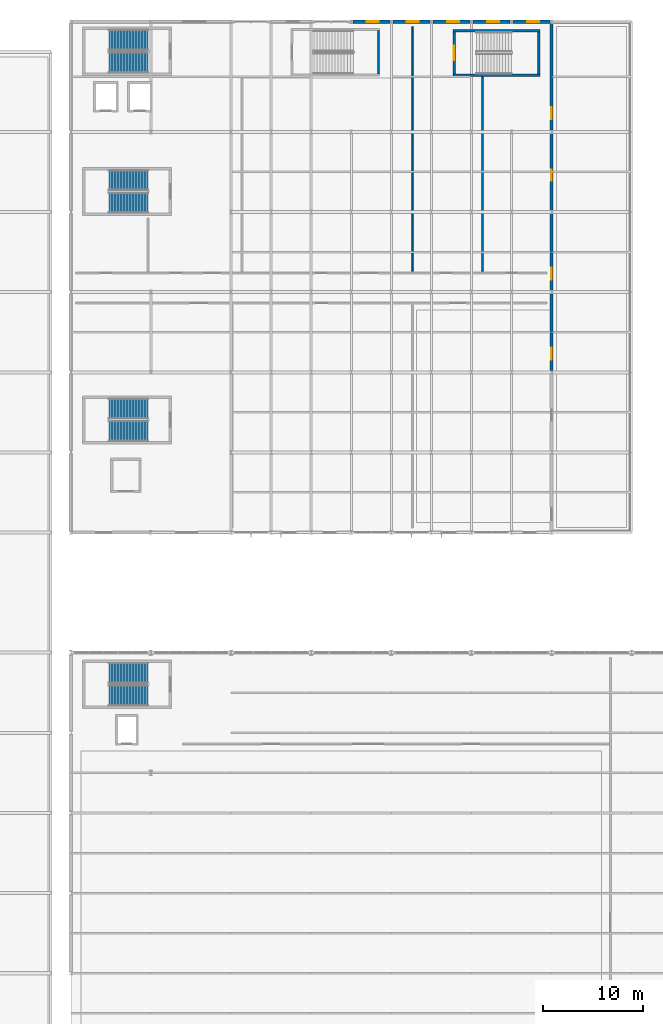
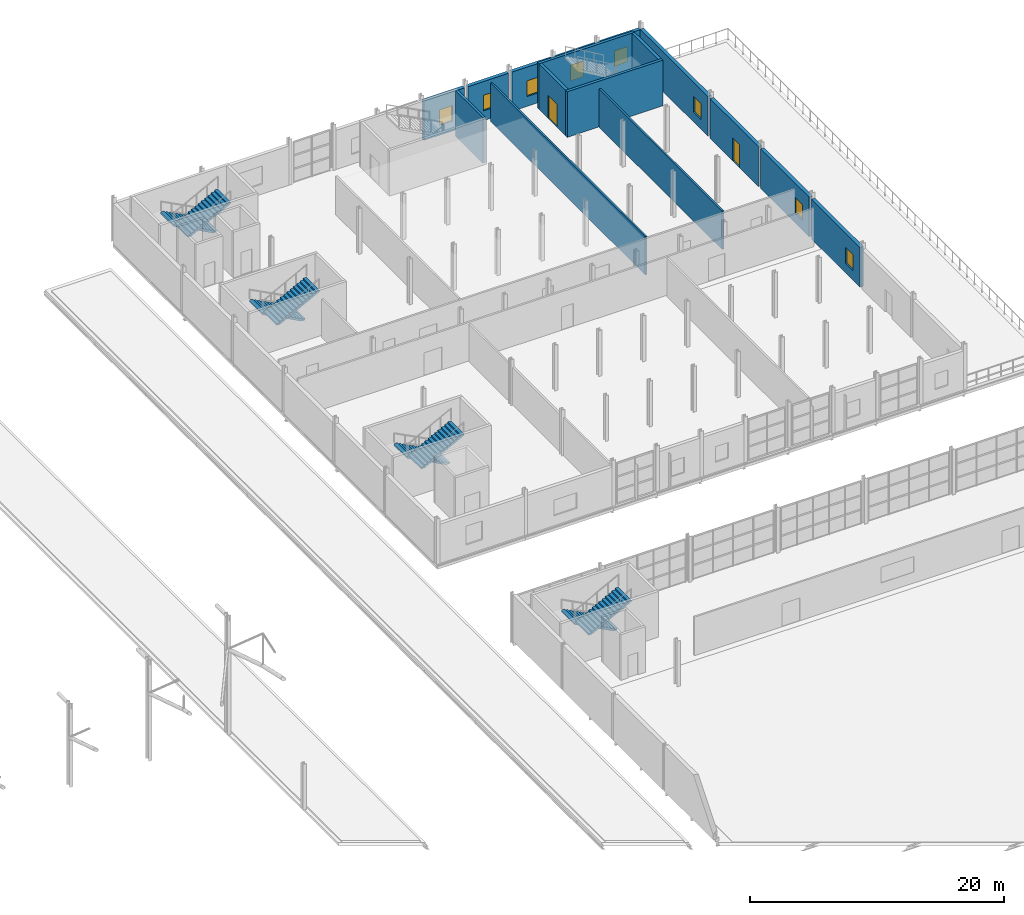
# One storey, part 142 of 153: 16 walls, 8 stair flights, 8 windows, 2 doors, 10 openings, 4 elements without a shape of their own.
"""IFC4 building model written with IfcOpenShell, lengths in metres."""

from ifc_helpers import new_model, si_unit, derived_unit, direction, frame, frame_2d, origin, place, context, subcontext, project, spatial, polyline, rectangle, outline, extrude, material, layer, layer_set, type_object, element, fill, aggregate, save


model = new_model("IFC4")

# Units and contexts
model_context = context("Model", 3, precision=1e-05, world=origin(), true_north=direction((0.0, 1.0)))
body_context = subcontext(model_context, "Body", "Model", "MODEL_VIEW")
ifc_project = project(units=[si_unit("LENGTHUNIT", "METRE"), si_unit("AREAUNIT", "SQUARE_METRE"), si_unit("VOLUMEUNIT", "CUBIC_METRE"), si_unit("PLANEANGLEUNIT", "RADIAN"), si_unit("MASSUNIT", "GRAM", prefix="KILO"), derived_unit("THERMALTRANSMITTANCEUNIT", [(si_unit("POWERUNIT", "WATT"), 1), (si_unit("LENGTHUNIT", "METRE"), -2), (si_unit("THERMODYNAMICTEMPERATUREUNIT", "KELVIN"), -1)])], contexts=[model_context])

# Site, building, storey
site_placement = place(None, origin())
site = spatial("IfcSite", under=ifc_project, at=site_placement, CompositionType="ELEMENT")
building_placement = place(site_placement, origin())
building = spatial("IfcBuilding", under=site, at=building_placement, Name="Keldorne Ridge Multi-Sports Centre", CompositionType="ELEMENT")
storey_placement = place(building_placement, frame((0.0, 0.0, 9.60009765625)))
storey = spatial("IfcBuildingStorey", under=building, at=storey_placement, Name="L02", CompositionType="ELEMENT", Elevation=9.60009765625)

# Wall, opening, window
ifc_material_1 = material(Name="Precast concrete C40/50", Category="concrete")
ifc_layer_1 = layer(ifc_material_1, 0.320068359375)
ifc_layer_set_1 = layer_set([ifc_layer_1], Name="Precast concrete C40/50")
wall_type_1 = type_object("IfcWallType", Name="WAL-PR-W1", PredefinedType="STANDARD", material=ifc_layer_set_1)
wall_1_placement = place(storey_placement, frame((135.847900390625, 117.0, 0.0), z_axis=(0.0, 0.0, 1.0), x_axis=(-1.0, 0.0, 0.0)))
wall_1 = element("IfcWall", 1, at=wall_1_placement, inside=storey, type_object=wall_type_1, Name="East Wing L02 north facade 6", PredefinedType="STANDARD", context=body_context, shape_type="SweptSolid", body=[
    extrude(rectangle(XDim=3.69580078125, YDim=0.320068359375, at=frame_2d((1.847900390625, 0.0))), origin(), (0.0, 0.0, 1.0), 3.77490234375),
])
opening_1_placement = place(wall_1_placement, frame((1.087890625, 0.0, 0.949951171875)))
opening_1 = element("IfcOpeningElement", 2, at=opening_1_placement, cuts=wall_1, Name="Opening W-03", PredefinedType="OPENING", context=body_context, shape_type="SweptSolid", body=[
    extrude(rectangle(XDim=1.199951171875, YDim=1.5, at=frame_2d((0.60009765625, 0.75))), frame((0.0, 0.169921875, 0.0), z_axis=(0.0, -1.0, 0.0), x_axis=(1.0, 0.0, 0.0)), (0.0, 0.0, 1.0), 0.340087890625),
])
ifc_material_2 = material(Name="Anodized aluminium", Category="aluminium")
window_type = type_object("IfcWindowType", Name="WIN-W-03", PartitioningType="SINGLE_PANEL", PredefinedType="WINDOW", material=ifc_material_2)
window_1_placement = place(opening_1_placement, origin())
window_1 = element("IfcWindow", 3, at=window_1_placement, inside=storey, type_object=window_type, Name="East Wing L02 north window W-081", OverallHeight=1.5, OverallWidth=1.199951171875, PartitioningType="SINGLE_PANEL", PredefinedType="WINDOW", context=body_context, shape_type="SweptSolid", body=[
    extrude(rectangle(XDim=1.199951171875, YDim=1.5, at=frame_2d((0.60009765625, 0.75))), frame((0.0, 0.030029296875, 0.0), z_axis=(0.0, -1.0, 0.0), x_axis=(1.0, 0.0, 0.0)), (0.0, 0.0, 1.0), 0.06005859375),
])
fill(opening_1, window_1)

wall_2_placement = place(storey_placement, frame((139.847900390625, 117.0, 0.0), z_axis=(0.0, 0.0, 1.0), x_axis=(-1.0, 0.0, 0.0)))
wall_2 = element("IfcWall", 4, at=wall_2_placement, inside=storey, type_object=wall_type_1, Name="East Wing L02 north facade 7", PredefinedType="STANDARD", context=body_context, shape_type="SweptSolid", body=[
    extrude(rectangle(XDim=3.69580078125, YDim=0.320068359375, at=frame_2d((1.847900390625, 0.0))), origin(), (0.0, 0.0, 1.0), 3.77490234375),
])
opening_2_placement = place(wall_2_placement, frame((1.087890625, 0.0, 0.949951171875)))
opening_2 = element("IfcOpeningElement", 5, at=opening_2_placement, cuts=wall_2, Name="Opening W-03", PredefinedType="OPENING", context=body_context, shape_type="SweptSolid", body=[
    extrude(rectangle(XDim=1.199951171875, YDim=1.5, at=frame_2d((0.60009765625, 0.75))), frame((0.0, 0.169921875, 0.0), z_axis=(0.0, -1.0, 0.0), x_axis=(1.0, 0.0, 0.0)), (0.0, 0.0, 1.0), 0.340087890625),
])
window_2_placement = place(opening_2_placement, origin())
window_2 = element("IfcWindow", 6, at=window_2_placement, inside=storey, type_object=window_type, Name="East Wing L02 north window W-082", OverallHeight=1.5, OverallWidth=1.199951171875, PartitioningType="SINGLE_PANEL", PredefinedType="WINDOW", context=body_context, shape_type="SweptSolid", body=[
    extrude(rectangle(XDim=1.199951171875, YDim=1.5, at=frame_2d((0.60009765625, 0.75))), frame((0.0, 0.030029296875, 0.0), z_axis=(0.0, -1.0, 0.0), x_axis=(1.0, 0.0, 0.0)), (0.0, 0.0, 1.0), 0.06005859375),
])
fill(opening_2, window_2)

wall_3_placement = place(storey_placement, frame((143.847900390625, 117.0, 0.0), z_axis=(0.0, 0.0, 1.0), x_axis=(-1.0, 0.0, 0.0)))
wall_3 = element("IfcWall", 7, at=wall_3_placement, inside=storey, type_object=wall_type_1, Name="East Wing L02 north facade 8", PredefinedType="STANDARD", context=body_context, shape_type="SweptSolid", body=[
    extrude(rectangle(XDim=3.69580078125, YDim=0.320068359375, at=frame_2d((1.847900390625, 0.0))), origin(), (0.0, 0.0, 1.0), 3.77490234375),
])
opening_3_placement = place(wall_3_placement, frame((1.087890625, 0.0, 0.949951171875)))
opening_3 = element("IfcOpeningElement", 8, at=opening_3_placement, cuts=wall_3, Name="Opening W-03", PredefinedType="OPENING", context=body_context, shape_type="SweptSolid", body=[
    extrude(rectangle(XDim=1.199951171875, YDim=1.5, at=frame_2d((0.60009765625, 0.75))), frame((0.0, 0.169921875, 0.0), z_axis=(0.0, -1.0, 0.0), x_axis=(1.0, 0.0, 0.0)), (0.0, 0.0, 1.0), 0.340087890625),
])
window_3_placement = place(opening_3_placement, origin())
window_3 = element("IfcWindow", 9, at=window_3_placement, inside=storey, type_object=window_type, Name="East Wing L02 north window W-083", OverallHeight=1.5, OverallWidth=1.199951171875, PartitioningType="SINGLE_PANEL", PredefinedType="WINDOW", context=body_context, shape_type="SweptSolid", body=[
    extrude(rectangle(XDim=1.199951171875, YDim=1.5, at=frame_2d((0.60009765625, 0.75))), frame((0.0, 0.030029296875, 0.0), z_axis=(0.0, -1.0, 0.0), x_axis=(1.0, 0.0, 0.0)), (0.0, 0.0, 1.0), 0.06005859375),
])
fill(opening_3, window_3)

wall_4_placement = place(storey_placement, frame((147.847900390625, 117.0, 0.0), z_axis=(0.0, 0.0, 1.0), x_axis=(-1.0, 0.0, 0.0)))
wall_4 = element("IfcWall", 10, at=wall_4_placement, inside=storey, type_object=wall_type_1, Name="East Wing L02 north facade 9", PredefinedType="STANDARD", context=body_context, shape_type="SweptSolid", body=[
    extrude(rectangle(XDim=3.69580078125, YDim=0.320068359375, at=frame_2d((1.847900390625, 0.0))), origin(), (0.0, 0.0, 1.0), 3.77490234375),
])
opening_4_placement = place(wall_4_placement, frame((1.087890625, 0.0, 0.949951171875)))
opening_4 = element("IfcOpeningElement", 11, at=opening_4_placement, cuts=wall_4, Name="Opening W-03", PredefinedType="OPENING", context=body_context, shape_type="SweptSolid", body=[
    extrude(rectangle(XDim=1.199951171875, YDim=1.5, at=frame_2d((0.60009765625, 0.75))), frame((0.0, 0.169921875, 0.0), z_axis=(0.0, -1.0, 0.0), x_axis=(1.0, 0.0, 0.0)), (0.0, 0.0, 1.0), 0.340087890625),
])
window_4_placement = place(opening_4_placement, origin())
window_4 = element("IfcWindow", 12, at=window_4_placement, inside=storey, type_object=window_type, Name="East Wing L02 north window W-084", OverallHeight=1.5, OverallWidth=1.199951171875, PartitioningType="SINGLE_PANEL", PredefinedType="WINDOW", context=body_context, shape_type="SweptSolid", body=[
    extrude(rectangle(XDim=1.199951171875, YDim=1.5, at=frame_2d((0.60009765625, 0.75))), frame((0.0, 0.030029296875, 0.0), z_axis=(0.0, -1.0, 0.0), x_axis=(1.0, 0.0, 0.0)), (0.0, 0.0, 1.0), 0.06005859375),
])
fill(opening_4, window_4)

wall_5_placement = place(storey_placement, frame((151.847900390625, 117.0, 0.0), z_axis=(0.0, 0.0, 1.0), x_axis=(-1.0, 0.0, 0.0)))
wall_5 = element("IfcWall", 13, at=wall_5_placement, inside=storey, type_object=wall_type_1, Name="East Wing L02 north facade 10", PredefinedType="STANDARD", context=body_context, shape_type="SweptSolid", body=[
    extrude(rectangle(XDim=3.69580078125, YDim=0.320068359375, at=frame_2d((1.847900390625, 0.0))), origin(), (0.0, 0.0, 1.0), 3.77490234375),
])
opening_5_placement = place(wall_5_placement, frame((1.087890625, 0.0, 0.949951171875)))
opening_5 = element("IfcOpeningElement", 14, at=opening_5_placement, cuts=wall_5, Name="Opening W-03", PredefinedType="OPENING", context=body_context, shape_type="SweptSolid", body=[
    extrude(rectangle(XDim=1.199951171875, YDim=1.5, at=frame_2d((0.60009765625, 0.75))), frame((0.0, 0.169921875, 0.0), z_axis=(0.0, -1.0, 0.0), x_axis=(1.0, 0.0, 0.0)), (0.0, 0.0, 1.0), 0.340087890625),
])
window_5_placement = place(opening_5_placement, origin())
window_5 = element("IfcWindow", 15, at=window_5_placement, inside=storey, type_object=window_type, Name="East Wing L02 north window W-085", OverallHeight=1.5, OverallWidth=1.199951171875, PartitioningType="SINGLE_PANEL", PredefinedType="WINDOW", context=body_context, shape_type="SweptSolid", body=[
    extrude(rectangle(XDim=1.199951171875, YDim=1.5, at=frame_2d((0.60009765625, 0.75))), frame((0.0, 0.030029296875, 0.0), z_axis=(0.0, -1.0, 0.0), x_axis=(1.0, 0.0, 0.0)), (0.0, 0.0, 1.0), 0.06005859375),
])
fill(opening_5, window_5)

wall_6_placement = place(storey_placement, frame((152.0, 82.172119140625, 0.0), z_axis=(0.0, 0.0, 1.0), x_axis=(0.0, 1.0, 0.0)))
wall_6 = element("IfcWall", 16, at=wall_6_placement, inside=storey, type_object=wall_type_1, Name="East Wing L02 east facade 3", PredefinedType="STANDARD", context=body_context, shape_type="SweptSolid", body=[
    extrude(rectangle(XDim=7.65576171875, YDim=0.320068359375, at=frame_2d((3.827880859375, 0.0))), origin(), (0.0, 0.0, 1.0), 3.824951171875),
])
opening_6_placement = place(wall_6_placement, frame((1.068115234375, 0.0, 0.949951171875)))
opening_6 = element("IfcOpeningElement", 17, at=opening_6_placement, cuts=wall_6, Name="Opening W-03", PredefinedType="OPENING", context=body_context, shape_type="SweptSolid", body=[
    extrude(rectangle(XDim=1.199951171875, YDim=1.5, at=frame_2d((0.60009765625, 0.75))), frame((0.0, 0.169921875, 0.0), z_axis=(0.0, -1.0, 0.0), x_axis=(1.0, 0.0, 0.0)), (0.0, 0.0, 1.0), 0.340087890625),
])
window_6_placement = place(opening_6_placement, origin())
window_6 = element("IfcWindow", 18, at=window_6_placement, inside=storey, type_object=window_type, Name="East Wing L02 east window W-087", OverallHeight=1.5, OverallWidth=1.199951171875, PartitioningType="SINGLE_PANEL", PredefinedType="WINDOW", context=body_context, shape_type="SweptSolid", body=[
    extrude(rectangle(XDim=1.199951171875, YDim=1.5, at=frame_2d((0.60009765625, 0.75))), frame((0.0, 0.030029296875, 0.0), z_axis=(0.0, -1.0, 0.0), x_axis=(1.0, 0.0, 0.0)), (0.0, 0.0, 1.0), 0.06005859375),
])
fill(opening_6, window_6)

wall_7_placement = place(storey_placement, frame((152.0, 90.172119140625, 0.0), z_axis=(0.0, 0.0, 1.0), x_axis=(0.0, 1.0, 0.0)))
wall_7 = element("IfcWall", 19, at=wall_7_placement, inside=storey, type_object=wall_type_1, Name="East Wing L02 east facade 4", PredefinedType="STANDARD", context=body_context, shape_type="SweptSolid", body=[
    extrude(rectangle(XDim=7.65576171875, YDim=0.320068359375, at=frame_2d((3.827880859375, 0.0))), origin(), (0.0, 0.0, 1.0), 3.824951171875),
])
opening_7_placement = place(wall_7_placement, frame((1.068115234375, 0.0, 0.949951171875)))
opening_7 = element("IfcOpeningElement", 20, at=opening_7_placement, cuts=wall_7, Name="Opening W-03", PredefinedType="OPENING", context=body_context, shape_type="SweptSolid", body=[
    extrude(rectangle(XDim=1.199951171875, YDim=1.5, at=frame_2d((0.60009765625, 0.75))), frame((0.0, 0.169921875, 0.0), z_axis=(0.0, -1.0, 0.0), x_axis=(1.0, 0.0, 0.0)), (0.0, 0.0, 1.0), 0.340087890625),
])
window_7_placement = place(opening_7_placement, origin())
window_7 = element("IfcWindow", 21, at=window_7_placement, inside=storey, type_object=window_type, Name="East Wing L02 east window W-088", OverallHeight=1.5, OverallWidth=1.199951171875, PartitioningType="SINGLE_PANEL", PredefinedType="WINDOW", context=body_context, shape_type="SweptSolid", body=[
    extrude(rectangle(XDim=1.199951171875, YDim=1.5, at=frame_2d((0.60009765625, 0.75))), frame((0.0, 0.030029296875, 0.0), z_axis=(0.0, -1.0, 0.0), x_axis=(1.0, 0.0, 0.0)), (0.0, 0.0, 1.0), 0.06005859375),
])
fill(opening_7, window_7)

# Wall, opening, door
wall_8_placement = place(storey_placement, frame((152.0, 98.172119140625, 0.0), z_axis=(0.0, 0.0, 1.0), x_axis=(0.0, 1.0, 0.0)))
wall_8 = element("IfcWall", 22, at=wall_8_placement, inside=storey, type_object=wall_type_1, Name="East Wing L02 east facade 5", PredefinedType="STANDARD", context=body_context, shape_type="SweptSolid", body=[
    extrude(rectangle(XDim=7.65576171875, YDim=0.320068359375, at=frame_2d((3.827880859375, 0.0))), origin(), (0.0, 0.0, 1.0), 3.824951171875),
])
opening_8_placement = place(wall_8_placement, frame((2.968017578125, 0.0, 0.0)))
opening_8 = element("IfcOpeningElement", 23, at=opening_8_placement, cuts=wall_8, Name="Opening ED-04", PredefinedType="OPENING", context=body_context, shape_type="SweptSolid", body=[
    extrude(rectangle(XDim=1.10009765625, YDim=2.199951171875, at=frame_2d((0.550048828125, 1.10009765625))), frame((0.0, 0.169921875, 0.0), z_axis=(0.0, -1.0, 0.0), x_axis=(1.0, 0.0, 0.0)), (0.0, 0.0, 1.0), 0.340087890625),
])
ifc_material_3 = material(Name="Galvanized steel", Category="steel")
door_type_1 = type_object("IfcDoorType", Name="DR-ED-04", OperationType="NOTDEFINED", PredefinedType="DOOR", material=ifc_material_3)
door_1_placement = place(opening_8_placement, origin())
door_1 = element("IfcDoor", 24, at=door_1_placement, inside=storey, type_object=door_type_1, Name="L02 East Stepped Roof Garden door 4", OperationType="SINGLE_SWING_RIGHT", OverallHeight=2.199951171875, OverallWidth=1.10009765625, PredefinedType="DOOR", context=body_context, shape_type="SweptSolid", body=[
    extrude(rectangle(XDim=1.10009765625, YDim=2.199951171875, at=frame_2d((0.550048828125, 1.10009765625))), frame((0.0, 0.02490234375, 0.0), z_axis=(0.0, -1.0, 0.0), x_axis=(1.0, 0.0, 0.0)), (0.0, 0.0, 1.0), 0.050048828125),
])
fill(opening_8, door_1)

# Wall, opening, window
wall_9_placement = place(storey_placement, frame((152.0, 106.172119140625, 0.0), z_axis=(0.0, 0.0, 1.0), x_axis=(0.0, 1.0, 0.0)))
wall_9 = element("IfcWall", 25, at=wall_9_placement, inside=storey, type_object=wall_type_1, Name="East Wing L02 east facade 6", PredefinedType="STANDARD", context=body_context, shape_type="SweptSolid", body=[
    extrude(rectangle(XDim=10.65576171875, YDim=0.320068359375, at=frame_2d((5.327880859375, 0.0))), origin(), (0.0, 0.0, 1.0), 3.824951171875),
])
opening_9_placement = place(wall_9_placement, frame((1.068115234375, 0.0, 0.949951171875)))
opening_9 = element("IfcOpeningElement", 26, at=opening_9_placement, cuts=wall_9, Name="Opening W-03", PredefinedType="OPENING", context=body_context, shape_type="SweptSolid", body=[
    extrude(rectangle(XDim=1.199951171875, YDim=1.5, at=frame_2d((0.60009765625, 0.75))), frame((0.0, 0.169921875, 0.0), z_axis=(0.0, -1.0, 0.0), x_axis=(1.0, 0.0, 0.0)), (0.0, 0.0, 1.0), 0.340087890625),
])
window_8_placement = place(opening_9_placement, origin())
window_8 = element("IfcWindow", 27, at=window_8_placement, inside=storey, type_object=window_type, Name="East Wing L02 east window W-089", OverallHeight=1.5, OverallWidth=1.199951171875, PartitioningType="SINGLE_PANEL", PredefinedType="WINDOW", context=body_context, shape_type="SweptSolid", body=[
    extrude(rectangle(XDim=1.199951171875, YDim=1.5, at=frame_2d((0.60009765625, 0.75))), frame((0.0, 0.030029296875, 0.0), z_axis=(0.0, -1.0, 0.0), x_axis=(1.0, 0.0, 0.0)), (0.0, 0.0, 1.0), 0.06005859375),
])
fill(opening_9, window_8)

# Walls
ifc_material_4 = material(Name="Acoustic double stud plasterboard")
ifc_layer_2 = layer(ifc_material_4, 0.159912109375)
ifc_layer_set_2 = layer_set([ifc_layer_2])
wall_type_2 = type_object("IfcWallType", Name="WAL-PT-04", PredefinedType="PARTITIONING", material=ifc_layer_set_2)
wall_10_placement = place(storey_placement, frame((138.10009765625, 92.10009765625, 0.0), z_axis=(0.0, 0.0, 1.0), x_axis=(0.0, 1.0, 0.0)))
element("IfcWall", 28, at=wall_10_placement, inside=storey, type_object=wall_type_2, Name="Clinical suite divider IW-L02-061", PredefinedType="PARTITIONING", context=body_context, shape_type="SweptSolid", body=[
    extrude(rectangle(XDim=24.39990234375, YDim=0.159912109375, at=frame_2d((12.199951171875, 0.0))), origin(), (0.0, 0.0, 1.0), 3.699951171875),
])
wall_11_placement = place(storey_placement, frame((145.10009765625, 92.10009765625, 0.0), z_axis=(0.0, 0.0, 1.0), x_axis=(0.0, 1.0, 0.0)))
element("IfcWall", 29, at=wall_11_placement, inside=storey, type_object=wall_type_2, Name="Clinical suite divider IW-L02-062", PredefinedType="PARTITIONING", context=body_context, shape_type="SweptSolid", body=[
    extrude(rectangle(XDim=19.39990234375, YDim=0.159912109375, at=frame_2d((9.699951171875, 0.0))), origin(), (0.0, 0.0, 1.0), 3.699951171875),
])

# Wall, opening, door
ifc_material_5 = material(Name="Concrete C40/50", Category="concrete")
ifc_layer_3 = layer(ifc_material_5, 0.25)
ifc_layer_set_3 = layer_set([ifc_layer_3], Name="Concrete C40/50")
wall_type_3 = type_object("IfcWallType", Name="WAL-SW01", PredefinedType="SHEAR", material=ifc_layer_set_3)
wall_12_placement = place(storey_placement, frame((142.27490234375, 111.800048828125, 0.0), z_axis=(0.0, 0.0, 1.0), x_axis=(0.0, 1.0, 0.0)))
wall_12 = element("IfcWall", 30, at=wall_12_placement, inside=storey, type_object=wall_type_3, Name="Stair ST-03 shaft wall L02 NEAR", PredefinedType="SHEAR", context=body_context, shape_type="SweptSolid", body=[
    extrude(rectangle(XDim=4.179931640625, YDim=0.25, at=frame_2d((2.08984375, 0.0))), origin(), (0.0, 0.0, 1.0), 4.39990234375),
])
opening_10_placement = place(wall_12_placement, frame((1.364990234375, 0.0, 0.0)))
opening_10 = element("IfcOpeningElement", 31, at=opening_10_placement, cuts=wall_12, Name="Opening D-05", PredefinedType="OPENING", context=body_context, shape_type="SweptSolid", body=[
    extrude(rectangle(XDim=1.449951171875, YDim=2.199951171875, at=frame_2d((0.72509765625, 1.10009765625))), frame((0.0, 0.135009765625, 0.0), z_axis=(0.0, -1.0, 0.0), x_axis=(1.0, 0.0, 0.0)), (0.0, 0.0, 1.0), 0.27001953125),
])
ifc_material_6 = material(Name="Steel fire-resisting pair", Category="steel")
door_type_2 = type_object("IfcDoorType", Name="DR-D-05", OperationType="NOTDEFINED", PredefinedType="DOOR", material=ifc_material_6)
door_2_placement = place(opening_10_placement, origin())
door_2 = element("IfcDoor", 32, at=door_2_placement, inside=storey, type_object=door_type_2, Name="Stair ST-03 L02 fire door D-017", OperationType="DOUBLE_DOOR_SINGLE_SWING", OverallHeight=2.199951171875, OverallWidth=1.449951171875, PredefinedType="DOOR", context=body_context, shape_type="SweptSolid", body=[
    extrude(rectangle(XDim=1.449951171875, YDim=2.199951171875, at=frame_2d((0.72509765625, 1.10009765625))), frame((0.0, 0.02490234375, 0.0), z_axis=(0.0, -1.0, 0.0), x_axis=(1.0, 0.0, 0.0)), (0.0, 0.0, 1.0), 0.050048828125),
])
fill(opening_10, door_2)

# Walls
wall_13_placement = place(storey_placement, frame((150.72509765625, 115.97998046875, 0.0), z_axis=(0.0, 0.0, 1.0), x_axis=(0.0, -1.0, 0.0)))
element("IfcWall", 33, at=wall_13_placement, inside=storey, type_object=wall_type_3, Name="Stair ST-03 shaft wall L02 FAR", PredefinedType="SHEAR", context=body_context, shape_type="SweptSolid", body=[
    extrude(rectangle(XDim=4.179931640625, YDim=0.25, at=frame_2d((2.08984375, 0.0))), origin(), (0.0, 0.0, 1.0), 4.39990234375),
])
for number, where, z_axis, x_axis, name in (
    (34, (142.14990234375, 111.675048828125, 0.0), (0.0, 0.0, 1.0), (1.0, 0.0, 0.0), "Stair ST-03 shaft wall L02 SOUTH"),
    (35, (150.85009765625, 116.10498046875, 0.0), (0.0, 0.0, 1.0), (-1.0, 0.0, 0.0), "Stair ST-03 shaft wall L02 NORTH"),
):
    element("IfcWall", number, at=place(storey_placement, frame(where, z_axis=z_axis, x_axis=x_axis)), inside=storey, type_object=wall_type_3, Name=name, PredefinedType="SHEAR", context=body_context, shape_type="SweptSolid", body=[
        extrude(rectangle(XDim=8.7001953125, YDim=0.25, at=frame_2d((4.35009765625, 0.0))), origin(), (0.0, 0.0, 1.0), 4.39990234375),
    ])
ifc_layer_4 = layer(ifc_material_5, 0.22998046875)
ifc_layer_set_4 = layer_set([ifc_layer_4], Name="Concrete C40/50")
wall_type_4 = type_object("IfcWallType", Name="WAL-SW02", PredefinedType="SHEAR", material=ifc_layer_set_4)
wall_14_placement = place(storey_placement, frame((134.715087890625, 116.10009765625, 0.0), z_axis=(0.0, 0.0, 1.0), x_axis=(0.0, -1.0, 0.0)))
element("IfcWall", 36, at=wall_14_placement, inside=storey, type_object=wall_type_4, Name="Stair ST-10 shaft wall L02 FAR", PredefinedType="SHEAR", context=body_context, shape_type="SweptSolid", body=[
    extrude(rectangle(XDim=4.300048828125, YDim=0.22998046875, at=frame_2d((2.14990234375, 0.0))), origin(), (0.0, 0.0, 1.0), 4.39990234375),
])

# Stair, stair flights
ifc_material_7 = material(Name="Concrete C35/45", Category="concrete")
stair_type = type_object("IfcStairType", Name="STR-S01", PredefinedType="HALF_TURN_STAIR", material=ifc_material_7)
stair_1_placement = place(storey_placement, origin())
stair_1 = element("IfcStair", 37, at=stair_1_placement, inside=storey, type_object=stair_type, Name="L02 North-East Primary Clinical Core C1", PredefinedType="HALF_TURN_STAIR")
stair_flight_type = type_object("IfcStairFlightType", Name="STF-F01", PredefinedType="STRAIGHT", material=ifc_material_7)
stair_flight_1_placement = place(storey_placement, frame((111.699951171875, 115.169921875, 0.0), z_axis=(0.0, 0.0, 1.0), x_axis=(-1.0, 0.0, 0.0)))
stair_flight_1 = element("IfcStairFlight", 38, at=stair_flight_1_placement, type_object=stair_flight_type, Name="ST-01 flight 1", NumberOfRisers=14, NumberOfTreads=13, PredefinedType="STRAIGHT", RiserHeight=0.157142857, TreadLength=0.3, context=body_context, shape_type="SweptSolid", body=[
    extrude(outline(polyline([(0.0, 0.0), (0.0, 0.1572265625), (0.300048828125, 0.1572265625), (0.300048828125, 0.314208984375), (0.60009765625, 0.314208984375), (0.60009765625, 0.471435546875), (0.89990234375, 0.471435546875), (0.89990234375, 0.628662109375), (1.199951171875, 0.628662109375), (1.199951171875, 0.78564453125), (1.5, 0.78564453125), (1.5, 0.94287109375), (1.800048828125, 0.94287109375), (1.800048828125, 1.10009765625), (2.10009765625, 1.10009765625), (2.10009765625, 1.257080078125), (2.39990234375, 1.257080078125), (2.39990234375, 1.414306640625), (2.699951171875, 1.414306640625), (2.699951171875, 1.571533203125), (3.0, 1.571533203125), (3.0, 1.728515625), (3.300048828125, 1.728515625), (3.300048828125, 1.8857421875), (3.60009765625, 1.8857421875), (3.60009765625, 2.04296875), (3.89990234375, 2.04296875), (3.89990234375, 2.199951171875), (3.89990234375, 1.87353515625), (0.322998046875, 0.0), (0.0, 0.0)])), frame((0.0, 1.030029296875, 0.0), z_axis=(0.0, -1.0, 0.0), x_axis=(1.0, 0.0, 0.0)), (0.0, 0.0, 1.0), 2.06005859375),
])
stair_flight_2_placement = place(storey_placement, frame((107.800048828125, 112.929931640625, 2.199951171875), z_axis=(0.0, 0.0, 1.0), x_axis=(1.0, 0.0, 0.0)))
stair_flight_2 = element("IfcStairFlight", 39, at=stair_flight_2_placement, type_object=stair_flight_type, Name="ST-01 flight 2", NumberOfRisers=14, NumberOfTreads=13, PredefinedType="STRAIGHT", RiserHeight=0.157142857, TreadLength=0.3, context=body_context, shape_type="SweptSolid", body=[
    extrude(outline(polyline([(0.0, 0.0), (0.0, 0.1572265625), (0.300048828125, 0.1572265625), (0.300048828125, 0.314208984375), (0.60009765625, 0.314208984375), (0.60009765625, 0.471435546875), (0.89990234375, 0.471435546875), (0.89990234375, 0.628662109375), (1.199951171875, 0.628662109375), (1.199951171875, 0.78564453125), (1.5, 0.78564453125), (1.5, 0.94287109375), (1.800048828125, 0.94287109375), (1.800048828125, 1.10009765625), (2.10009765625, 1.10009765625), (2.10009765625, 1.257080078125), (2.39990234375, 1.257080078125), (2.39990234375, 1.414306640625), (2.699951171875, 1.414306640625), (2.699951171875, 1.571533203125), (3.0, 1.571533203125), (3.0, 1.728515625), (3.300048828125, 1.728515625), (3.300048828125, 1.8857421875), (3.60009765625, 1.8857421875), (3.60009765625, 2.04296875), (3.89990234375, 2.04296875), (3.89990234375, 2.199951171875), (3.89990234375, 1.87353515625), (0.322998046875, 0.0), (0.0, 0.0)])), frame((0.0, 1.030029296875, 0.0), z_axis=(0.0, -1.0, 0.0), x_axis=(1.0, 0.0, 0.0)), (0.0, 0.0, 1.0), 2.06005859375),
])
aggregate(stair_1, [stair_flight_1, stair_flight_2])

stair_2_placement = place(storey_placement, origin())
stair_2 = element("IfcStair", 40, at=stair_2_placement, inside=storey, type_object=stair_type, Name="L02 East Wing South Core C2", PredefinedType="HALF_TURN_STAIR")
stair_flight_3_placement = place(storey_placement, frame((111.699951171875, 78.3701171875, 0.0), z_axis=(0.0, 0.0, 1.0), x_axis=(-1.0, 0.0, 0.0)))
stair_flight_3 = element("IfcStairFlight", 41, at=stair_flight_3_placement, type_object=stair_flight_type, Name="ST-02 flight 1", NumberOfRisers=14, NumberOfTreads=13, PredefinedType="STRAIGHT", RiserHeight=0.157142857, TreadLength=0.3, context=body_context, shape_type="SweptSolid", body=[
    extrude(outline(polyline([(0.0, 0.0), (0.0, 0.1572265625), (0.300048828125, 0.1572265625), (0.300048828125, 0.314208984375), (0.60009765625, 0.314208984375), (0.60009765625, 0.471435546875), (0.89990234375, 0.471435546875), (0.89990234375, 0.628662109375), (1.199951171875, 0.628662109375), (1.199951171875, 0.78564453125), (1.5, 0.78564453125), (1.5, 0.94287109375), (1.800048828125, 0.94287109375), (1.800048828125, 1.10009765625), (2.10009765625, 1.10009765625), (2.10009765625, 1.257080078125), (2.39990234375, 1.257080078125), (2.39990234375, 1.414306640625), (2.699951171875, 1.414306640625), (2.699951171875, 1.571533203125), (3.0, 1.571533203125), (3.0, 1.728515625), (3.300048828125, 1.728515625), (3.300048828125, 1.8857421875), (3.60009765625, 1.8857421875), (3.60009765625, 2.04296875), (3.89990234375, 2.04296875), (3.89990234375, 2.199951171875), (3.89990234375, 1.87353515625), (0.322998046875, 0.0), (0.0, 0.0)])), frame((0.0, 1.030029296875, 0.0), z_axis=(0.0, -1.0, 0.0), x_axis=(1.0, 0.0, 0.0)), (0.0, 0.0, 1.0), 2.06005859375),
])
stair_flight_4_placement = place(storey_placement, frame((107.800048828125, 76.1298828125, 2.199951171875), z_axis=(0.0, 0.0, 1.0), x_axis=(1.0, 0.0, 0.0)))
stair_flight_4 = element("IfcStairFlight", 42, at=stair_flight_4_placement, type_object=stair_flight_type, Name="ST-02 flight 2", NumberOfRisers=14, NumberOfTreads=13, PredefinedType="STRAIGHT", RiserHeight=0.157142857, TreadLength=0.3, context=body_context, shape_type="SweptSolid", body=[
    extrude(outline(polyline([(0.0, 0.0), (0.0, 0.1572265625), (0.300048828125, 0.1572265625), (0.300048828125, 0.314208984375), (0.60009765625, 0.314208984375), (0.60009765625, 0.471435546875), (0.89990234375, 0.471435546875), (0.89990234375, 0.628662109375), (1.199951171875, 0.628662109375), (1.199951171875, 0.78564453125), (1.5, 0.78564453125), (1.5, 0.94287109375), (1.800048828125, 0.94287109375), (1.800048828125, 1.10009765625), (2.10009765625, 1.10009765625), (2.10009765625, 1.257080078125), (2.39990234375, 1.257080078125), (2.39990234375, 1.414306640625), (2.699951171875, 1.414306640625), (2.699951171875, 1.571533203125), (3.0, 1.571533203125), (3.0, 1.728515625), (3.300048828125, 1.728515625), (3.300048828125, 1.8857421875), (3.60009765625, 1.8857421875), (3.60009765625, 2.04296875), (3.89990234375, 2.04296875), (3.89990234375, 2.199951171875), (3.89990234375, 1.87353515625), (0.322998046875, 0.0), (0.0, 0.0)])), frame((0.0, 1.030029296875, 0.0), z_axis=(0.0, -1.0, 0.0), x_axis=(1.0, 0.0, 0.0)), (0.0, 0.0, 1.0), 2.06005859375),
])
aggregate(stair_2, [stair_flight_3, stair_flight_4])

stair_3_placement = place(storey_placement, origin())
stair_3 = element("IfcStair", 43, at=stair_3_placement, inside=storey, type_object=stair_type, Name="L02 Stacked Courts Core C4", PredefinedType="HALF_TURN_STAIR")
stair_flight_5_placement = place(storey_placement, frame((111.699951171875, 51.969970703125, 0.0), z_axis=(0.0, 0.0, 1.0), x_axis=(-1.0, 0.0, 0.0)))
stair_flight_5 = element("IfcStairFlight", 44, at=stair_flight_5_placement, type_object=stair_flight_type, Name="ST-04 flight 1", NumberOfRisers=14, NumberOfTreads=13, PredefinedType="STRAIGHT", RiserHeight=0.157142857, TreadLength=0.3, context=body_context, shape_type="SweptSolid", body=[
    extrude(outline(polyline([(0.0, 0.0), (0.0, 0.1572265625), (0.300048828125, 0.1572265625), (0.300048828125, 0.314208984375), (0.60009765625, 0.314208984375), (0.60009765625, 0.471435546875), (0.89990234375, 0.471435546875), (0.89990234375, 0.628662109375), (1.199951171875, 0.628662109375), (1.199951171875, 0.78564453125), (1.5, 0.78564453125), (1.5, 0.94287109375), (1.800048828125, 0.94287109375), (1.800048828125, 1.10009765625), (2.10009765625, 1.10009765625), (2.10009765625, 1.257080078125), (2.39990234375, 1.257080078125), (2.39990234375, 1.414306640625), (2.699951171875, 1.414306640625), (2.699951171875, 1.571533203125), (3.0, 1.571533203125), (3.0, 1.728515625), (3.300048828125, 1.728515625), (3.300048828125, 1.8857421875), (3.60009765625, 1.8857421875), (3.60009765625, 2.04296875), (3.89990234375, 2.04296875), (3.89990234375, 2.199951171875), (3.89990234375, 1.87353515625), (0.322998046875, 0.0), (0.0, 0.0)])), frame((0.0, 1.030029296875, 0.0), z_axis=(0.0, -1.0, 0.0), x_axis=(1.0, 0.0, 0.0)), (0.0, 0.0, 1.0), 2.06005859375),
])
stair_flight_6_placement = place(storey_placement, frame((107.800048828125, 49.72998046875, 2.199951171875), z_axis=(0.0, 0.0, 1.0), x_axis=(1.0, 0.0, 0.0)))
stair_flight_6 = element("IfcStairFlight", 45, at=stair_flight_6_placement, type_object=stair_flight_type, Name="ST-04 flight 2", NumberOfRisers=14, NumberOfTreads=13, PredefinedType="STRAIGHT", RiserHeight=0.157142857, TreadLength=0.3, context=body_context, shape_type="SweptSolid", body=[
    extrude(outline(polyline([(0.0, 0.0), (0.0, 0.1572265625), (0.300048828125, 0.1572265625), (0.300048828125, 0.314208984375), (0.60009765625, 0.314208984375), (0.60009765625, 0.471435546875), (0.89990234375, 0.471435546875), (0.89990234375, 0.628662109375), (1.199951171875, 0.628662109375), (1.199951171875, 0.78564453125), (1.5, 0.78564453125), (1.5, 0.94287109375), (1.800048828125, 0.94287109375), (1.800048828125, 1.10009765625), (2.10009765625, 1.10009765625), (2.10009765625, 1.257080078125), (2.39990234375, 1.257080078125), (2.39990234375, 1.414306640625), (2.699951171875, 1.414306640625), (2.699951171875, 1.571533203125), (3.0, 1.571533203125), (3.0, 1.728515625), (3.300048828125, 1.728515625), (3.300048828125, 1.8857421875), (3.60009765625, 1.8857421875), (3.60009765625, 2.04296875), (3.89990234375, 2.04296875), (3.89990234375, 2.199951171875), (3.89990234375, 1.87353515625), (0.322998046875, 0.0), (0.0, 0.0)])), frame((0.0, 1.030029296875, 0.0), z_axis=(0.0, -1.0, 0.0), x_axis=(1.0, 0.0, 0.0)), (0.0, 0.0, 1.0), 2.06005859375),
])
aggregate(stair_3, [stair_flight_5, stair_flight_6])

stair_4_placement = place(storey_placement, origin())
stair_4 = element("IfcStair", 46, at=stair_4_placement, inside=storey, type_object=stair_type, Name="L02 Mid-Wing Escape Stair ST-11", PredefinedType="HALF_TURN_STAIR")
stair_flight_7_placement = place(storey_placement, frame((111.699951171875, 101.169921875, 0.0), z_axis=(0.0, 0.0, 1.0), x_axis=(-1.0, 0.0, 0.0)))
stair_flight_7 = element("IfcStairFlight", 47, at=stair_flight_7_placement, type_object=stair_flight_type, Name="ST-11 flight 1", NumberOfRisers=14, NumberOfTreads=13, PredefinedType="STRAIGHT", RiserHeight=0.157142857, TreadLength=0.3, context=body_context, shape_type="SweptSolid", body=[
    extrude(outline(polyline([(0.0, 0.0), (0.0, 0.1572265625), (0.300048828125, 0.1572265625), (0.300048828125, 0.314208984375), (0.60009765625, 0.314208984375), (0.60009765625, 0.471435546875), (0.89990234375, 0.471435546875), (0.89990234375, 0.628662109375), (1.199951171875, 0.628662109375), (1.199951171875, 0.78564453125), (1.5, 0.78564453125), (1.5, 0.94287109375), (1.800048828125, 0.94287109375), (1.800048828125, 1.10009765625), (2.10009765625, 1.10009765625), (2.10009765625, 1.257080078125), (2.39990234375, 1.257080078125), (2.39990234375, 1.414306640625), (2.699951171875, 1.414306640625), (2.699951171875, 1.571533203125), (3.0, 1.571533203125), (3.0, 1.728515625), (3.300048828125, 1.728515625), (3.300048828125, 1.8857421875), (3.60009765625, 1.8857421875), (3.60009765625, 2.04296875), (3.89990234375, 2.04296875), (3.89990234375, 2.199951171875), (3.89990234375, 1.87353515625), (0.322998046875, 0.0), (0.0, 0.0)])), frame((0.0, 1.030029296875, 0.0), z_axis=(0.0, -1.0, 0.0), x_axis=(1.0, 0.0, 0.0)), (0.0, 0.0, 1.0), 2.06005859375),
])
stair_flight_8_placement = place(storey_placement, frame((107.800048828125, 98.929931640625, 2.199951171875), z_axis=(0.0, 0.0, 1.0), x_axis=(1.0, 0.0, 0.0)))
stair_flight_8 = element("IfcStairFlight", 48, at=stair_flight_8_placement, type_object=stair_flight_type, Name="ST-11 flight 2", NumberOfRisers=14, NumberOfTreads=13, PredefinedType="STRAIGHT", RiserHeight=0.157142857, TreadLength=0.3, context=body_context, shape_type="SweptSolid", body=[
    extrude(outline(polyline([(0.0, 0.0), (0.0, 0.1572265625), (0.300048828125, 0.1572265625), (0.300048828125, 0.314208984375), (0.60009765625, 0.314208984375), (0.60009765625, 0.471435546875), (0.89990234375, 0.471435546875), (0.89990234375, 0.628662109375), (1.199951171875, 0.628662109375), (1.199951171875, 0.78564453125), (1.5, 0.78564453125), (1.5, 0.94287109375), (1.800048828125, 0.94287109375), (1.800048828125, 1.10009765625), (2.10009765625, 1.10009765625), (2.10009765625, 1.257080078125), (2.39990234375, 1.257080078125), (2.39990234375, 1.414306640625), (2.699951171875, 1.414306640625), (2.699951171875, 1.571533203125), (3.0, 1.571533203125), (3.0, 1.728515625), (3.300048828125, 1.728515625), (3.300048828125, 1.8857421875), (3.60009765625, 1.8857421875), (3.60009765625, 2.04296875), (3.89990234375, 2.04296875), (3.89990234375, 2.199951171875), (3.89990234375, 1.87353515625), (0.322998046875, 0.0), (0.0, 0.0)])), frame((0.0, 1.030029296875, 0.0), z_axis=(0.0, -1.0, 0.0), x_axis=(1.0, 0.0, 0.0)), (0.0, 0.0, 1.0), 2.06005859375),
])
aggregate(stair_4, [stair_flight_7, stair_flight_8])

save(model, "model.ifc")
